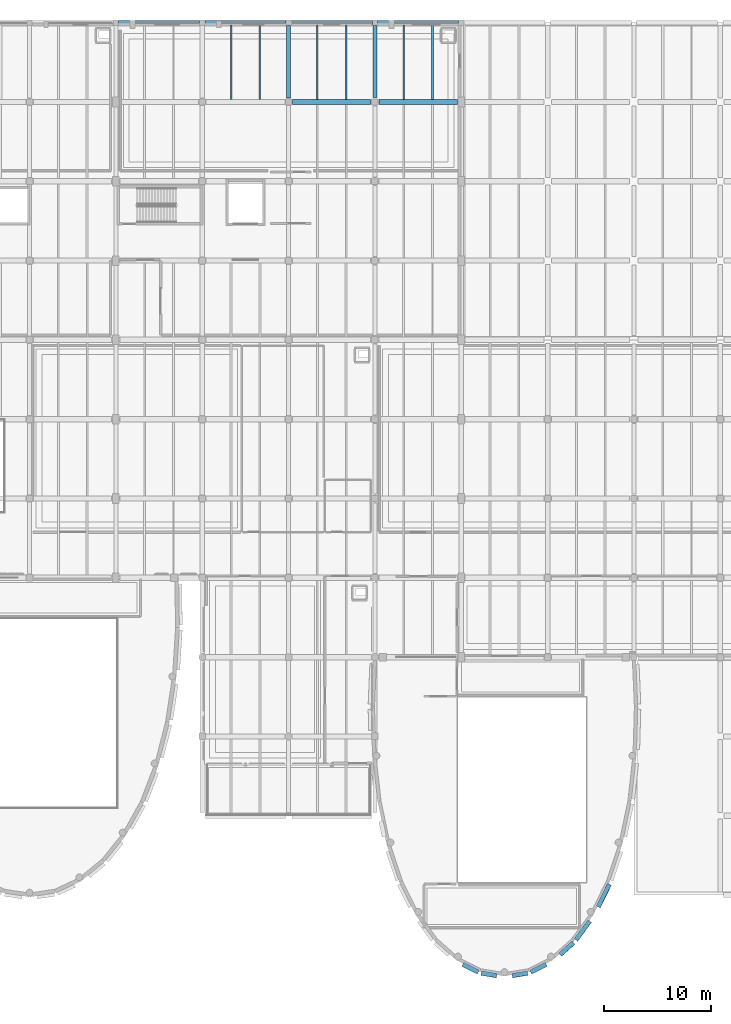
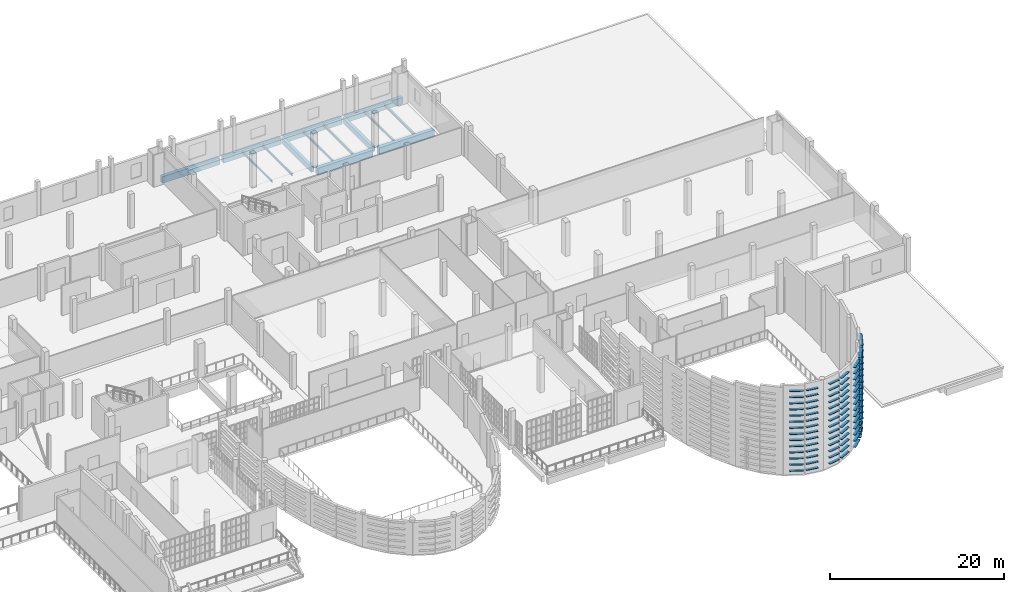
# One storey, part 48 of 104: 97 members, 14 beams.
"""IFC4 building model written with IfcOpenShell, lengths in metres."""

from ifc_helpers import new_model, si_unit, direction, frame, origin, origin_2d, place, context, subcontext, project, spatial, rectangle, hollow_rectangle, i_section, extrude, material, material_profile, profile_set, type_object, element, save


model = new_model("IFC4")

# Units and contexts
model_context = context("Model", 3, precision=1e-05, world=origin(), true_north=direction((0.0, 1.0)))
body_context = subcontext(model_context, "Body", "Model", "MODEL_VIEW")
ifc_project = project(units=[si_unit("LENGTHUNIT", "METRE"), si_unit("AREAUNIT", "SQUARE_METRE"), si_unit("VOLUMEUNIT", "CUBIC_METRE"), si_unit("PLANEANGLEUNIT", "RADIAN"), si_unit("MASSUNIT", "GRAM", prefix="KILO")], contexts=[model_context])

# Site, building, storey
site_placement = place(None, origin())
site = spatial("IfcSite", under=ifc_project, at=site_placement, CompositionType="ELEMENT")
building_placement = place(site_placement, origin())
building = spatial("IfcBuilding", under=site, at=building_placement, Name="Kaelora Sail Theatre", CompositionType="ELEMENT")
storey_placement = place(building_placement, frame((0.0, 0.0, 5.39990234375)))
storey = spatial("IfcBuildingStorey", under=building, at=storey_placement, Name="L01", CompositionType="ELEMENT", Elevation=5.39990234375)

# Members
ifc_material_1 = material(Name="Anodised aluminium 6063-T6", Category="aluminium")
ifc_material_profile_1 = material_profile(ifc_material_1, hollow_rectangle(XDim=0.419921875, YDim=0.054931640625, WallThickness=0.00390625, InnerFilletRadius=0.00390625, OuterFilletRadius=0.008056640625, at=origin_2d()), Name="LOUVRE 420x55x4")
ifc_profile_set_1 = profile_set([ifc_material_profile_1], Name="Anodised aluminium 6063-T6")
member_type = type_object("IfcMemberType", Name="ARC-MEM-LVR-420", PredefinedType="USERDEFINED", material=ifc_profile_set_1)
for number, where, z_axis, x_axis, name in (
    (1, (145.006103515625, 32.2783203125, 0.150146484375), (-0.444466855912, -0.895795296927, 0.0), (0.895795296927, -0.444466855912, 0.0), "Black-Box and Experimental Sail Wing horizontal solar louvre C6-06"),
    (2, (145.006103515625, 32.2783203125, 1.010009765625), (-0.444466855912, -0.895795296927, 0.0), (0.895795296927, -0.444466855912, 0.0), "Black-Box and Experimental Sail Wing horizontal solar louvre C6-07"),
    (3, (145.006103515625, 32.2783203125, 1.8701171875), (-0.444466855912, -0.895795296927, 0.0), (0.895795296927, -0.444466855912, 0.0), "Black-Box and Experimental Sail Wing horizontal solar louvre C6-08"),
    (4, (145.006103515625, 32.2783203125, 2.72998046875), (-0.444466855912, -0.895795296927, 0.0), (0.895795296927, -0.444466855912, 0.0), "Black-Box and Experimental Sail Wing horizontal solar louvre C6-09"),
    (5, (145.006103515625, 32.2783203125, 3.590087890625), (-0.444466855912, -0.895795296927, 0.0), (0.895795296927, -0.444466855912, 0.0), "Black-Box and Experimental Sail Wing horizontal solar louvre C6-10"),
    (6, (145.006103515625, 32.2783203125, 4.4501953125), (-0.444466855912, -0.895795296927, 0.0), (0.895795296927, -0.444466855912, 0.0), "Black-Box and Experimental Sail Wing horizontal solar louvre C6-11"),
    (7, (145.006103515625, 32.2783203125, 5.31005859375), (-0.444466855912, -0.895795296927, 0.0), (0.895795296927, -0.444466855912, 0.0), "Black-Box and Experimental Sail Wing horizontal solar louvre C6-12"),
    (8, (145.006103515625, 32.2783203125, 6.170166015625), (-0.444466855912, -0.895795296927, 0.0), (0.895795296927, -0.444466855912, 0.0), "Black-Box and Experimental Sail Wing horizontal solar louvre C6-13"),
    (9, (145.006103515625, 32.2783203125, 7.030029296875), (-0.444466855912, -0.895795296927, 0.0), (0.895795296927, -0.444466855912, 0.0), "Black-Box and Experimental Sail Wing horizontal solar louvre C6-14"),
    (10, (145.006103515625, 32.2783203125, 7.89013671875), (-0.444466855912, -0.895795296927, 0.0), (0.895795296927, -0.444466855912, 0.0), "Black-Box and Experimental Sail Wing horizontal solar louvre C6-15"),
    (11, (145.006103515625, 32.2783203125, 8.75), (-0.444466855912, -0.895795296927, 0.0), (0.895795296927, -0.444466855912, 0.0), "Black-Box and Experimental Sail Wing horizontal solar louvre C6-16"),
    (12, (145.006103515625, 32.2783203125, 9.610107421875), (-0.444466855912, -0.895795296927, 0.0), (0.895795296927, -0.444466855912, 0.0), "Black-Box and Experimental Sail Wing horizontal solar louvre C6-17"),
    (13, (145.006103515625, 32.2783203125, 10.47021484375), (-0.444466855912, -0.895795296927, 0.0), (0.895795296927, -0.444466855912, 0.0), "Black-Box and Experimental Sail Wing horizontal solar louvre C6-18"),
):
    element("IfcMember", number, at=place(storey_placement, frame(where, z_axis=z_axis, x_axis=x_axis)), inside=storey, type_object=member_type, Name=name, ObjectType="LOUVRE", PredefinedType="USERDEFINED", context=body_context, shape_type="SweptSolid", body=[
        extrude(hollow_rectangle(XDim=0.419921875, YDim=0.054931640625, WallThickness=0.00390625, InnerFilletRadius=0.00390625, OuterFilletRadius=0.008056640625, at=origin_2d()), origin(), (0.0, 0.0, 1.0), 2.384033203125),
    ])
for number, where, z_axis, x_axis, name in (
    (14, (143.153564453125, 28.81298828125, 0.150146484375), (-0.590513532852, -0.807027736524, 0.0), (0.807027736524, -0.590513532852, 0.0), "Black-Box and Experimental Sail Wing horizontal solar louvre C7-06"),
    (15, (143.153564453125, 28.81298828125, 1.010009765625), (-0.590513532852, -0.807027736524, 0.0), (0.807027736524, -0.590513532852, 0.0), "Black-Box and Experimental Sail Wing horizontal solar louvre C7-07"),
    (16, (143.153564453125, 28.81298828125, 1.8701171875), (-0.590513532852, -0.807027736524, 0.0), (0.807027736524, -0.590513532852, 0.0), "Black-Box and Experimental Sail Wing horizontal solar louvre C7-08"),
    (17, (143.153564453125, 28.81298828125, 2.72998046875), (-0.590513532852, -0.807027736524, 0.0), (0.807027736524, -0.590513532852, 0.0), "Black-Box and Experimental Sail Wing horizontal solar louvre C7-09"),
    (18, (143.153564453125, 28.81298828125, 3.590087890625), (-0.590513532852, -0.807027736524, 0.0), (0.807027736524, -0.590513532852, 0.0), "Black-Box and Experimental Sail Wing horizontal solar louvre C7-10"),
    (19, (143.153564453125, 28.81298828125, 4.4501953125), (-0.590513532852, -0.807027736524, 0.0), (0.807027736524, -0.590513532852, 0.0), "Black-Box and Experimental Sail Wing horizontal solar louvre C7-11"),
    (20, (143.153564453125, 28.81298828125, 5.31005859375), (-0.590513532852, -0.807027736524, 0.0), (0.807027736524, -0.590513532852, 0.0), "Black-Box and Experimental Sail Wing horizontal solar louvre C7-12"),
    (21, (143.153564453125, 28.81298828125, 6.170166015625), (-0.590513532852, -0.807027736524, 0.0), (0.807027736524, -0.590513532852, 0.0), "Black-Box and Experimental Sail Wing horizontal solar louvre C7-13"),
    (22, (143.153564453125, 28.81298828125, 7.030029296875), (-0.590513532852, -0.807027736524, 0.0), (0.807027736524, -0.590513532852, 0.0), "Black-Box and Experimental Sail Wing horizontal solar louvre C7-14"),
    (23, (143.153564453125, 28.81298828125, 7.89013671875), (-0.590513532852, -0.807027736524, 0.0), (0.807027736524, -0.590513532852, 0.0), "Black-Box and Experimental Sail Wing horizontal solar louvre C7-15"),
    (24, (143.153564453125, 28.81298828125, 8.75), (-0.590513532852, -0.807027736524, 0.0), (0.807027736524, -0.590513532852, 0.0), "Black-Box and Experimental Sail Wing horizontal solar louvre C7-16"),
    (25, (143.153564453125, 28.81298828125, 9.610107421875), (-0.590513532852, -0.807027736524, 0.0), (0.807027736524, -0.590513532852, 0.0), "Black-Box and Experimental Sail Wing horizontal solar louvre C7-17"),
    (26, (143.153564453125, 28.81298828125, 10.47021484375), (-0.590513532852, -0.807027736524, 0.0), (0.807027736524, -0.590513532852, 0.0), "Black-Box and Experimental Sail Wing horizontal solar louvre C7-18"),
    (27, (143.153564453125, 28.81298828125, 11.330078125), (-0.590513532852, -0.807027736524, 0.0), (0.807027736524, -0.590513532852, 0.0), "Black-Box and Experimental Sail Wing horizontal solar louvre C7-19"),
):
    element("IfcMember", number, at=place(storey_placement, frame(where, z_axis=z_axis, x_axis=x_axis)), inside=storey, type_object=member_type, Name=name, ObjectType="LOUVRE", PredefinedType="USERDEFINED", context=body_context, shape_type="SweptSolid", body=[
        extrude(hollow_rectangle(XDim=0.419921875, YDim=0.054931640625, WallThickness=0.00390625, InnerFilletRadius=0.00390625, OuterFilletRadius=0.008056640625, at=origin_2d()), origin(), (0.0, 0.0, 1.0), 2.192138671875),
    ])
for number, where, z_axis, x_axis, name in (
    (28, (141.635009765625, 26.794921875, 0.150146484375), (-0.747346111026, -0.664434940633, 0.0), (0.664434940633, -0.747346111026, 0.0), "Black-Box and Experimental Sail Wing horizontal solar louvre C8-06"),
    (29, (141.635009765625, 26.794921875, 1.010009765625), (-0.747346111026, -0.664434940633, 0.0), (0.664434940633, -0.747346111026, 0.0), "Black-Box and Experimental Sail Wing horizontal solar louvre C8-07"),
    (30, (141.635009765625, 26.794921875, 1.8701171875), (-0.747346111026, -0.664434940633, 0.0), (0.664434940633, -0.747346111026, 0.0), "Black-Box and Experimental Sail Wing horizontal solar louvre C8-08"),
    (31, (141.635009765625, 26.794921875, 2.72998046875), (-0.747346111026, -0.664434940633, 0.0), (0.664434940633, -0.747346111026, 0.0), "Black-Box and Experimental Sail Wing horizontal solar louvre C8-09"),
    (32, (141.635009765625, 26.794921875, 3.590087890625), (-0.747346111026, -0.664434940633, 0.0), (0.664434940633, -0.747346111026, 0.0), "Black-Box and Experimental Sail Wing horizontal solar louvre C8-10"),
    (33, (141.635009765625, 26.794921875, 4.4501953125), (-0.747346111026, -0.664434940633, 0.0), (0.664434940633, -0.747346111026, 0.0), "Black-Box and Experimental Sail Wing horizontal solar louvre C8-11"),
    (34, (141.635009765625, 26.794921875, 5.31005859375), (-0.747346111026, -0.664434940633, 0.0), (0.664434940633, -0.747346111026, 0.0), "Black-Box and Experimental Sail Wing horizontal solar louvre C8-12"),
    (35, (141.635009765625, 26.794921875, 6.170166015625), (-0.747346111026, -0.664434940633, 0.0), (0.664434940633, -0.747346111026, 0.0), "Black-Box and Experimental Sail Wing horizontal solar louvre C8-13"),
    (36, (141.635009765625, 26.794921875, 7.030029296875), (-0.747346111026, -0.664434940633, 0.0), (0.664434940633, -0.747346111026, 0.0), "Black-Box and Experimental Sail Wing horizontal solar louvre C8-14"),
    (37, (141.635009765625, 26.794921875, 7.89013671875), (-0.747346111026, -0.664434940633, 0.0), (0.664434940633, -0.747346111026, 0.0), "Black-Box and Experimental Sail Wing horizontal solar louvre C8-15"),
    (38, (141.635009765625, 26.794921875, 8.75), (-0.747346111026, -0.664434940633, 0.0), (0.664434940633, -0.747346111026, 0.0), "Black-Box and Experimental Sail Wing horizontal solar louvre C8-16"),
    (39, (141.635009765625, 26.794921875, 9.610107421875), (-0.747346111026, -0.664434940633, 0.0), (0.664434940633, -0.747346111026, 0.0), "Black-Box and Experimental Sail Wing horizontal solar louvre C8-17"),
    (40, (141.635009765625, 26.794921875, 10.47021484375), (-0.747346111026, -0.664434940633, 0.0), (0.664434940633, -0.747346111026, 0.0), "Black-Box and Experimental Sail Wing horizontal solar louvre C8-18"),
    (41, (141.635009765625, 26.794921875, 11.330078125), (-0.747346111026, -0.664434940633, 0.0), (0.664434940633, -0.747346111026, 0.0), "Black-Box and Experimental Sail Wing horizontal solar louvre C8-19"),
):
    element("IfcMember", number, at=place(storey_placement, frame(where, z_axis=z_axis, x_axis=x_axis)), inside=storey, type_object=member_type, Name=name, ObjectType="LOUVRE", PredefinedType="USERDEFINED", context=body_context, shape_type="SweptSolid", body=[
        extrude(hollow_rectangle(XDim=0.419921875, YDim=0.054931640625, WallThickness=0.00390625, InnerFilletRadius=0.00390625, OuterFilletRadius=0.008056640625, at=origin_2d()), origin(), (0.0, 0.0, 1.0), 1.704833984375),
    ])
for number, where, z_axis, x_axis, name in (
    (42, (139.05908203125, 24.753173828125, 0.630126953125), (-0.893367810651, -0.449326111965, 0.0), (0.449326111965, -0.893367810651, 0.0), "Black-Box and Experimental Sail Wing horizontal solar louvre C9-04"),
    (43, (139.05908203125, 24.753173828125, 1.489990234375), (-0.893367810651, -0.449326111965, 0.0), (0.449326111965, -0.893367810651, 0.0), "Black-Box and Experimental Sail Wing horizontal solar louvre C9-05"),
    (44, (139.05908203125, 24.753173828125, 2.35009765625), (-0.893367810651, -0.449326111965, 0.0), (0.449326111965, -0.893367810651, 0.0), "Black-Box and Experimental Sail Wing horizontal solar louvre C9-06"),
    (45, (139.05908203125, 24.753173828125, 3.210205078125), (-0.893367810651, -0.449326111965, 0.0), (0.449326111965, -0.893367810651, 0.0), "Black-Box and Experimental Sail Wing horizontal solar louvre C9-07"),
    (46, (139.05908203125, 24.753173828125, 4.070068359375), (-0.893367810651, -0.449326111965, 0.0), (0.449326111965, -0.893367810651, 0.0), "Black-Box and Experimental Sail Wing horizontal solar louvre C9-08"),
    (47, (139.05908203125, 24.753173828125, 4.93017578125), (-0.893367810651, -0.449326111965, 0.0), (0.449326111965, -0.893367810651, 0.0), "Black-Box and Experimental Sail Wing horizontal solar louvre C9-09"),
    (48, (139.05908203125, 24.753173828125, 5.7900390625), (-0.893367810651, -0.449326111965, 0.0), (0.449326111965, -0.893367810651, 0.0), "Black-Box and Experimental Sail Wing horizontal solar louvre C9-10"),
    (49, (139.05908203125, 24.753173828125, 6.650146484375), (-0.893367810651, -0.449326111965, 0.0), (0.449326111965, -0.893367810651, 0.0), "Black-Box and Experimental Sail Wing horizontal solar louvre C9-11"),
    (50, (139.05908203125, 24.753173828125, 7.510009765625), (-0.893367810651, -0.449326111965, 0.0), (0.449326111965, -0.893367810651, 0.0), "Black-Box and Experimental Sail Wing horizontal solar louvre C9-12"),
    (51, (139.05908203125, 24.753173828125, 8.3701171875), (-0.893367810651, -0.449326111965, 0.0), (0.449326111965, -0.893367810651, 0.0), "Black-Box and Experimental Sail Wing horizontal solar louvre C9-13"),
    (52, (139.05908203125, 24.753173828125, 9.22998046875), (-0.893367810651, -0.449326111965, 0.0), (0.449326111965, -0.893367810651, 0.0), "Black-Box and Experimental Sail Wing horizontal solar louvre C9-14"),
    (53, (139.05908203125, 24.753173828125, 10.090087890625), (-0.893367810651, -0.449326111965, 0.0), (0.449326111965, -0.893367810651, 0.0), "Black-Box and Experimental Sail Wing horizontal solar louvre C9-15"),
    (54, (139.05908203125, 24.753173828125, 10.9501953125), (-0.893367810651, -0.449326111965, 0.0), (0.449326111965, -0.893367810651, 0.0), "Black-Box and Experimental Sail Wing horizontal solar louvre C9-16"),
    (55, (139.05908203125, 24.753173828125, 11.81005859375), (-0.893367810651, -0.449326111965, 0.0), (0.449326111965, -0.893367810651, 0.0), "Black-Box and Experimental Sail Wing horizontal solar louvre C9-17"),
):
    element("IfcMember", number, at=place(storey_placement, frame(where, z_axis=z_axis, x_axis=x_axis)), inside=storey, type_object=member_type, Name=name, ObjectType="LOUVRE", PredefinedType="USERDEFINED", context=body_context, shape_type="SweptSolid", body=[
        extrude(hollow_rectangle(XDim=0.419921875, YDim=0.054931640625, WallThickness=0.00390625, InnerFilletRadius=0.00390625, OuterFilletRadius=0.008056640625, at=origin_2d()), origin(), (0.0, 0.0, 1.0), 1.616943359375),
    ])
for number, where, z_axis, x_axis, name in (
    (56, (137.324462890625, 23.93115234375, 0.630126953125), (-0.986990076576, -0.160781182795, 0.0), (0.160781182795, -0.986990076576, 0.0), "Black-Box and Experimental Sail Wing horizontal solar louvre C10-04"),
    (57, (137.324462890625, 23.93115234375, 1.489990234375), (-0.986990076576, -0.160781182795, 0.0), (0.160781182795, -0.986990076576, 0.0), "Black-Box and Experimental Sail Wing horizontal solar louvre C10-05"),
    (58, (137.324462890625, 23.93115234375, 2.35009765625), (-0.986990076576, -0.160781182795, 0.0), (0.160781182795, -0.986990076576, 0.0), "Black-Box and Experimental Sail Wing horizontal solar louvre C10-06"),
    (59, (137.324462890625, 23.93115234375, 3.210205078125), (-0.986990076576, -0.160781182795, 0.0), (0.160781182795, -0.986990076576, 0.0), "Black-Box and Experimental Sail Wing horizontal solar louvre C10-07"),
    (60, (137.324462890625, 23.93115234375, 4.070068359375), (-0.986990076576, -0.160781182795, 0.0), (0.160781182795, -0.986990076576, 0.0), "Black-Box and Experimental Sail Wing horizontal solar louvre C10-08"),
    (61, (137.324462890625, 23.93115234375, 4.93017578125), (-0.986990076576, -0.160781182795, 0.0), (0.160781182795, -0.986990076576, 0.0), "Black-Box and Experimental Sail Wing horizontal solar louvre C10-09"),
    (62, (137.324462890625, 23.93115234375, 5.7900390625), (-0.986990076576, -0.160781182795, 0.0), (0.160781182795, -0.986990076576, 0.0), "Black-Box and Experimental Sail Wing horizontal solar louvre C10-10"),
    (63, (137.324462890625, 23.93115234375, 6.650146484375), (-0.986990076576, -0.160781182795, 0.0), (0.160781182795, -0.986990076576, 0.0), "Black-Box and Experimental Sail Wing horizontal solar louvre C10-11"),
    (64, (137.324462890625, 23.93115234375, 7.510009765625), (-0.986990076576, -0.160781182795, 0.0), (0.160781182795, -0.986990076576, 0.0), "Black-Box and Experimental Sail Wing horizontal solar louvre C10-12"),
    (65, (137.324462890625, 23.93115234375, 8.3701171875), (-0.986990076576, -0.160781182795, 0.0), (0.160781182795, -0.986990076576, 0.0), "Black-Box and Experimental Sail Wing horizontal solar louvre C10-13"),
    (66, (137.324462890625, 23.93115234375, 9.22998046875), (-0.986990076576, -0.160781182795, 0.0), (0.160781182795, -0.986990076576, 0.0), "Black-Box and Experimental Sail Wing horizontal solar louvre C10-14"),
    (67, (137.324462890625, 23.93115234375, 10.090087890625), (-0.986990076576, -0.160781182795, 0.0), (0.160781182795, -0.986990076576, 0.0), "Black-Box and Experimental Sail Wing horizontal solar louvre C10-15"),
    (68, (137.324462890625, 23.93115234375, 10.9501953125), (-0.986990076576, -0.160781182795, 0.0), (0.160781182795, -0.986990076576, 0.0), "Black-Box and Experimental Sail Wing horizontal solar louvre C10-16"),
    (69, (137.324462890625, 23.93115234375, 11.81005859375), (-0.986990076576, -0.160781182795, 0.0), (0.160781182795, -0.986990076576, 0.0), "Black-Box and Experimental Sail Wing horizontal solar louvre C10-17"),
    (70, (134.42333984375, 23.6953125, 0.630126953125), (-0.986990076576, 0.160781182795, 0.0), (-0.160781182795, -0.986990076576, 0.0), "Black-Box and Experimental Sail Wing horizontal solar louvre C11-04"),
    (71, (134.42333984375, 23.6953125, 1.489990234375), (-0.986990076576, 0.160781182795, 0.0), (-0.160781182795, -0.986990076576, 0.0), "Black-Box and Experimental Sail Wing horizontal solar louvre C11-05"),
    (72, (134.42333984375, 23.6953125, 2.35009765625), (-0.986990076576, 0.160781182795, 0.0), (-0.160781182795, -0.986990076576, 0.0), "Black-Box and Experimental Sail Wing horizontal solar louvre C11-06"),
    (73, (134.42333984375, 23.6953125, 3.210205078125), (-0.986990076576, 0.160781182795, 0.0), (-0.160781182795, -0.986990076576, 0.0), "Black-Box and Experimental Sail Wing horizontal solar louvre C11-07"),
    (74, (134.42333984375, 23.6953125, 4.070068359375), (-0.986990076576, 0.160781182795, 0.0), (-0.160781182795, -0.986990076576, 0.0), "Black-Box and Experimental Sail Wing horizontal solar louvre C11-08"),
    (75, (134.42333984375, 23.6953125, 4.93017578125), (-0.986990076576, 0.160781182795, 0.0), (-0.160781182795, -0.986990076576, 0.0), "Black-Box and Experimental Sail Wing horizontal solar louvre C11-09"),
    (76, (134.42333984375, 23.6953125, 5.7900390625), (-0.986990076576, 0.160781182795, 0.0), (-0.160781182795, -0.986990076576, 0.0), "Black-Box and Experimental Sail Wing horizontal solar louvre C11-10"),
    (77, (134.42333984375, 23.6953125, 6.650146484375), (-0.986990076576, 0.160781182795, 0.0), (-0.160781182795, -0.986990076576, 0.0), "Black-Box and Experimental Sail Wing horizontal solar louvre C11-11"),
    (78, (134.42333984375, 23.6953125, 7.510009765625), (-0.986990076576, 0.160781182795, 0.0), (-0.160781182795, -0.986990076576, 0.0), "Black-Box and Experimental Sail Wing horizontal solar louvre C11-12"),
    (79, (134.42333984375, 23.6953125, 8.3701171875), (-0.986990076576, 0.160781182795, 0.0), (-0.160781182795, -0.986990076576, 0.0), "Black-Box and Experimental Sail Wing horizontal solar louvre C11-13"),
    (80, (134.42333984375, 23.6953125, 9.22998046875), (-0.986990076576, 0.160781182795, 0.0), (-0.160781182795, -0.986990076576, 0.0), "Black-Box and Experimental Sail Wing horizontal solar louvre C11-14"),
    (81, (134.42333984375, 23.6953125, 10.090087890625), (-0.986990076576, 0.160781182795, 0.0), (-0.160781182795, -0.986990076576, 0.0), "Black-Box and Experimental Sail Wing horizontal solar louvre C11-15"),
    (82, (134.42333984375, 23.6953125, 10.9501953125), (-0.986990076576, 0.160781182795, 0.0), (-0.160781182795, -0.986990076576, 0.0), "Black-Box and Experimental Sail Wing horizontal solar louvre C11-16"),
    (83, (134.42333984375, 23.6953125, 11.81005859375), (-0.986990076576, 0.160781182795, 0.0), (-0.160781182795, -0.986990076576, 0.0), "Black-Box and Experimental Sail Wing horizontal solar louvre C11-17"),
):
    element("IfcMember", number, at=place(storey_placement, frame(where, z_axis=z_axis, x_axis=x_axis)), inside=storey, type_object=member_type, Name=name, ObjectType="LOUVRE", PredefinedType="USERDEFINED", context=body_context, shape_type="SweptSolid", body=[
        extrude(hollow_rectangle(XDim=0.419921875, YDim=0.054931640625, WallThickness=0.00390625, InnerFilletRadius=0.00390625, OuterFilletRadius=0.008056640625, at=origin_2d()), origin(), (0.0, 0.0, 1.0), 1.466796875),
    ])
for number, where, z_axis, x_axis, name in (
    (84, (132.685546875, 24.026611328125, 0.630126953125), (-0.893367810651, 0.449326111965, 0.0), (-0.449326111965, -0.893367810651, 0.0), "Black-Box and Experimental Sail Wing horizontal solar louvre C12-04"),
    (85, (132.685546875, 24.026611328125, 1.489990234375), (-0.893367810651, 0.449326111965, 0.0), (-0.449326111965, -0.893367810651, 0.0), "Black-Box and Experimental Sail Wing horizontal solar louvre C12-05"),
    (86, (132.685546875, 24.026611328125, 2.35009765625), (-0.893367810651, 0.449326111965, 0.0), (-0.449326111965, -0.893367810651, 0.0), "Black-Box and Experimental Sail Wing horizontal solar louvre C12-06"),
    (87, (132.685546875, 24.026611328125, 3.210205078125), (-0.893367810651, 0.449326111965, 0.0), (-0.449326111965, -0.893367810651, 0.0), "Black-Box and Experimental Sail Wing horizontal solar louvre C12-07"),
    (88, (132.685546875, 24.026611328125, 4.070068359375), (-0.893367810651, 0.449326111965, 0.0), (-0.449326111965, -0.893367810651, 0.0), "Black-Box and Experimental Sail Wing horizontal solar louvre C12-08"),
    (89, (132.685546875, 24.026611328125, 4.93017578125), (-0.893367810651, 0.449326111965, 0.0), (-0.449326111965, -0.893367810651, 0.0), "Black-Box and Experimental Sail Wing horizontal solar louvre C12-09"),
    (90, (132.685546875, 24.026611328125, 5.7900390625), (-0.893367810651, 0.449326111965, 0.0), (-0.449326111965, -0.893367810651, 0.0), "Black-Box and Experimental Sail Wing horizontal solar louvre C12-10"),
    (91, (132.685546875, 24.026611328125, 6.650146484375), (-0.893367810651, 0.449326111965, 0.0), (-0.449326111965, -0.893367810651, 0.0), "Black-Box and Experimental Sail Wing horizontal solar louvre C12-11"),
    (92, (132.685546875, 24.026611328125, 7.510009765625), (-0.893367810651, 0.449326111965, 0.0), (-0.449326111965, -0.893367810651, 0.0), "Black-Box and Experimental Sail Wing horizontal solar louvre C12-12"),
    (93, (132.685546875, 24.026611328125, 8.3701171875), (-0.893367810651, 0.449326111965, 0.0), (-0.449326111965, -0.893367810651, 0.0), "Black-Box and Experimental Sail Wing horizontal solar louvre C12-13"),
    (94, (132.685546875, 24.026611328125, 9.22998046875), (-0.893367810651, 0.449326111965, 0.0), (-0.449326111965, -0.893367810651, 0.0), "Black-Box and Experimental Sail Wing horizontal solar louvre C12-14"),
    (95, (132.685546875, 24.026611328125, 10.090087890625), (-0.893367810651, 0.449326111965, 0.0), (-0.449326111965, -0.893367810651, 0.0), "Black-Box and Experimental Sail Wing horizontal solar louvre C12-15"),
    (96, (132.685546875, 24.026611328125, 10.9501953125), (-0.893367810651, 0.449326111965, 0.0), (-0.449326111965, -0.893367810651, 0.0), "Black-Box and Experimental Sail Wing horizontal solar louvre C12-16"),
    (97, (132.685546875, 24.026611328125, 11.81005859375), (-0.893367810651, 0.449326111965, 0.0), (-0.449326111965, -0.893367810651, 0.0), "Black-Box and Experimental Sail Wing horizontal solar louvre C12-17"),
):
    element("IfcMember", number, at=place(storey_placement, frame(where, z_axis=z_axis, x_axis=x_axis)), inside=storey, type_object=member_type, Name=name, ObjectType="LOUVRE", PredefinedType="USERDEFINED", context=body_context, shape_type="SweptSolid", body=[
        extrude(hollow_rectangle(XDim=0.419921875, YDim=0.054931640625, WallThickness=0.00390625, InnerFilletRadius=0.00390625, OuterFilletRadius=0.008056640625, at=origin_2d()), origin(), (0.0, 0.0, 1.0), 1.616943359375),
    ])

# Beams
ifc_material_2 = material(Name="Concrete C40/50", Category="concrete")
ifc_material_profile_2 = material_profile(ifc_material_2, rectangle(XDim=0.39990234375, YDim=0.75, at=origin_2d()), Name="RC-BM 400x750")
ifc_profile_set_2 = profile_set([ifc_material_profile_2], Name="Concrete C40/50")
beam_type_1 = type_object("IfcBeamType", Name="STR-BM-BM-RC4075", PredefinedType="BEAM", material=ifc_profile_set_2)
beam_1_placement = place(storey_placement, frame((114.89990234375, 106.010009765625, -0.669921875), z_axis=(0.0, 1.0, 0.0), x_axis=(-1.0, 0.0, 0.0)))
element("IfcBeam", 98, at=beam_1_placement, inside=storey, type_object=beam_type_1, Name="Primary beam 15 O-P (L01)", PredefinedType="BEAM", context=body_context, shape_type="SweptSolid", body=[
    extrude(rectangle(XDim=0.39990234375, YDim=0.75, at=origin_2d()), origin(), (0.0, 0.0, 1.0), 6.840087890625),
])
beam_2_placement = place(storey_placement, frame((123.0, 106.06005859375, -0.669921875), z_axis=(0.0, 1.0, 0.0), x_axis=(-1.0, 0.0, 0.0)))
element("IfcBeam", 99, at=beam_2_placement, inside=storey, type_object=beam_type_1, Name="Primary beam 16 O-P (L01)", PredefinedType="BEAM", context=body_context, shape_type="SweptSolid", body=[
    extrude(rectangle(XDim=0.39990234375, YDim=0.75, at=origin_2d()), origin(), (0.0, 0.0, 1.0), 6.7900390625),
])
ifc_material_3 = material(Name="Concrete C45/55", Category="concrete")
ifc_material_profile_3 = material_profile(ifc_material_3, rectangle(XDim=0.5, YDim=0.949951171875, at=origin_2d()), Name="RC-GRD 500x950")
ifc_profile_set_3 = profile_set([ifc_material_profile_3], Name="Concrete C45/55")
beam_type_2 = type_object("IfcBeamType", Name="STR-BM-GR-RC5095", PredefinedType="T_BEAM", material=ifc_profile_set_3)
for number, where, z_axis, x_axis, name in (
    (100, (115.25, 105.659912109375, -0.77001953125), (1.0, 0.0, 0.0), (0.0, 1.0, 0.0), "Primary beam O 15-16 (L01)"),
    (101, (123.39990234375, 105.659912109375, -0.77001953125), (1.0, 0.0, 0.0), (0.0, 1.0, 0.0), "Primary beam O 16-17 (L01)"),
):
    element("IfcBeam", number, at=place(storey_placement, frame(where, z_axis=z_axis, x_axis=x_axis)), inside=storey, type_object=beam_type_2, Name=name, PredefinedType="T_BEAM", context=body_context, shape_type="SweptSolid", body=[
        extrude(rectangle(XDim=0.5, YDim=0.949951171875, at=origin_2d()), origin(), (0.0, 0.0, 1.0), 7.35009765625),
    ])
ifc_material_4 = material(Name="Steel S355", Category="steel")
ifc_material_profile_4 = material_profile(ifc_material_4, i_section(OverallWidth=0.135009765625, OverallDepth=0.27001953125, WebThickness=0.006591796875, FlangeThickness=0.01025390625, FilletRadius=0.014892578125, at=origin_2d()), Name="IPE 270")
ifc_profile_set_4 = profile_set([ifc_material_profile_4], Name="Steel S355")
beam_type_3 = type_object("IfcBeamType", Name="STR-BM-JS-IPE270", PredefinedType="JOIST", material=ifc_profile_set_4)
beam_3_placement = place(storey_placement, frame((109.5, 105.909912109375, -0.429931640625), z_axis=(0.0, 1.0, 0.0), x_axis=(-1.0, 0.0, 0.0)))
element("IfcBeam", 102, at=beam_3_placement, inside=storey, type_object=beam_type_3, Name="Secondary floor joist 14/O-1 (L01)", PredefinedType="JOIST", context=body_context, shape_type="SweptSolid", body=[
    extrude(i_section(OverallWidth=0.135009765625, OverallDepth=0.27001953125, WebThickness=0.006591796875, FlangeThickness=0.01025390625, FilletRadius=0.014892578125, at=origin_2d()), origin(), (0.0, 0.0, 1.0), 6.965087890625),
])
ifc_material_5 = material(Name="Steel S355", Category="steel")
ifc_material_profile_5 = material_profile(ifc_material_5, i_section(OverallWidth=0.14990234375, OverallDepth=0.300048828125, WebThickness=0.007080078125, FlangeThickness=0.0107421875, FilletRadius=0.014892578125, at=origin_2d()), Name="IPE 300")
ifc_profile_set_5 = profile_set([ifc_material_profile_5], Name="Steel S355")
beam_type_4 = type_object("IfcBeamType", Name="STR-BM-JS-IPE300", PredefinedType="JOIST", material=ifc_profile_set_5)
for number, where, z_axis, x_axis, name in (
    (103, (112.199951171875, 105.909912109375, -0.44482421875), (0.0, 1.0, 0.0), (-1.0, 0.0, 0.0), "Secondary floor joist 14/O-2 (L01)"),
    (104, (117.60009765625, 105.909912109375, -0.44482421875), (0.0, 1.0, 0.0), (-1.0, 0.0, 0.0), "Secondary floor joist 15/O-1 (L01)"),
):
    element("IfcBeam", number, at=place(storey_placement, frame(where, z_axis=z_axis, x_axis=x_axis)), inside=storey, type_object=beam_type_4, Name=name, PredefinedType="JOIST", context=body_context, shape_type="SweptSolid", body=[
        extrude(i_section(OverallWidth=0.14990234375, OverallDepth=0.300048828125, WebThickness=0.007080078125, FlangeThickness=0.0107421875, FilletRadius=0.014892578125, at=origin_2d()), origin(), (0.0, 0.0, 1.0), 6.965087890625),
    ])
ifc_material_6 = material(Name="Steel S355", Category="steel")
ifc_material_profile_6 = material_profile(ifc_material_6, i_section(OverallWidth=0.159912109375, OverallDepth=0.330078125, WebThickness=0.007568359375, FlangeThickness=0.011474609375, FilletRadius=0.01806640625, at=origin_2d()), Name="IPE 330")
ifc_profile_set_6 = profile_set([ifc_material_profile_6], Name="Steel S355")
beam_type_5 = type_object("IfcBeamType", Name="STR-BM-JS-IPE330", PredefinedType="JOIST", material=ifc_profile_set_6)
for number, where, z_axis, x_axis, name in (
    (105, (120.300048828125, 105.909912109375, -0.4599609375), (0.0, 1.0, 0.0), (-1.0, 0.0, 0.0), "Secondary floor joist 15/O-2 (L01)"),
    (106, (125.699951171875, 105.909912109375, -0.4599609375), (0.0, 1.0, 0.0), (-1.0, 0.0, 0.0), "Secondary floor joist 16/O-1 (L01)"),
):
    element("IfcBeam", number, at=place(storey_placement, frame(where, z_axis=z_axis, x_axis=x_axis)), inside=storey, type_object=beam_type_5, Name=name, PredefinedType="JOIST", context=body_context, shape_type="SweptSolid", body=[
        extrude(i_section(OverallWidth=0.159912109375, OverallDepth=0.330078125, WebThickness=0.007568359375, FlangeThickness=0.011474609375, FilletRadius=0.01806640625, at=origin_2d()), origin(), (0.0, 0.0, 1.0), 6.965087890625),
    ])
ifc_material_7 = material(Name="Steel S355", Category="steel")
ifc_material_profile_7 = material_profile(ifc_material_7, i_section(OverallWidth=0.169921875, OverallDepth=0.360107421875, WebThickness=0.008056640625, FlangeThickness=0.0126953125, FilletRadius=0.01806640625, at=origin_2d()), Name="IPE 360")
ifc_profile_set_7 = profile_set([ifc_material_profile_7], Name="Steel S355")
beam_type_6 = type_object("IfcBeamType", Name="STR-BM-JS-IPE360", PredefinedType="JOIST", material=ifc_profile_set_7)
beam_4_placement = place(storey_placement, frame((128.39990234375, 105.909912109375, -0.474853515625), z_axis=(0.0, 1.0, 0.0), x_axis=(-1.0, 0.0, 0.0)))
element("IfcBeam", 107, at=beam_4_placement, inside=storey, type_object=beam_type_6, Name="Secondary floor joist 16/O-2 (L01)", PredefinedType="JOIST", context=body_context, shape_type="SweptSolid", body=[
    extrude(i_section(OverallWidth=0.169921875, OverallDepth=0.360107421875, WebThickness=0.008056640625, FlangeThickness=0.0126953125, FilletRadius=0.01806640625, at=origin_2d()), origin(), (0.0, 0.0, 1.0), 6.965087890625),
])
ifc_material_8 = material(Name="Concrete C45/55", Category="concrete")
ifc_material_profile_8 = material_profile(ifc_material_8, rectangle(XDim=0.449951171875, YDim=0.949951171875, at=origin_2d()), Name="RC-SPN 450x950")
ifc_profile_set_8 = profile_set([ifc_material_profile_8], Name="Concrete C45/55")
beam_type_7 = type_object("IfcBeamType", Name="STR-BM-SP-RC4595", PredefinedType="SPANDREL", material=ifc_profile_set_8)
beam_5_placement = place(storey_placement, frame((98.949951171875, 113.10009765625, -0.77001953125), z_axis=(1.0, 0.0, 0.0), x_axis=(0.0, 1.0, 0.0)))
element("IfcBeam", 108, at=beam_5_placement, inside=storey, type_object=beam_type_7, Name="Primary beam P 13-14 (L01)", PredefinedType="SPANDREL", context=body_context, shape_type="SweptSolid", body=[
    extrude(rectangle(XDim=0.449951171875, YDim=0.949951171875, at=origin_2d()), origin(), (0.0, 0.0, 1.0), 7.60009765625),
])
beam_6_placement = place(storey_placement, frame((107.050048828125, 113.10009765625, -0.77001953125), z_axis=(1.0, 0.0, 0.0), x_axis=(0.0, 1.0, 0.0)))
element("IfcBeam", 109, at=beam_6_placement, inside=storey, type_object=beam_type_7, Name="Primary beam P 14-15 (L01)", PredefinedType="SPANDREL", context=body_context, shape_type="SweptSolid", body=[
    extrude(rectangle(XDim=0.449951171875, YDim=0.949951171875, at=origin_2d()), origin(), (0.0, 0.0, 1.0), 7.599853515625),
])
for number, where, z_axis, x_axis, name in (
    (110, (115.14990234375, 113.10009765625, -0.77001953125), (1.0, 0.0, 0.0), (0.0, 1.0, 0.0), "Primary beam P 15-16 (L01)"),
    (111, (123.25, 113.10009765625, -0.77001953125), (1.0, 0.0, 0.0), (0.0, 1.0, 0.0), "Primary beam P 16-17 (L01)"),
):
    element("IfcBeam", number, at=place(storey_placement, frame(where, z_axis=z_axis, x_axis=x_axis)), inside=storey, type_object=beam_type_7, Name=name, PredefinedType="SPANDREL", context=body_context, shape_type="SweptSolid", body=[
        extrude(rectangle(XDim=0.449951171875, YDim=0.949951171875, at=origin_2d()), origin(), (0.0, 0.0, 1.0), 7.60009765625),
    ])

save(model, "model.ifc")
